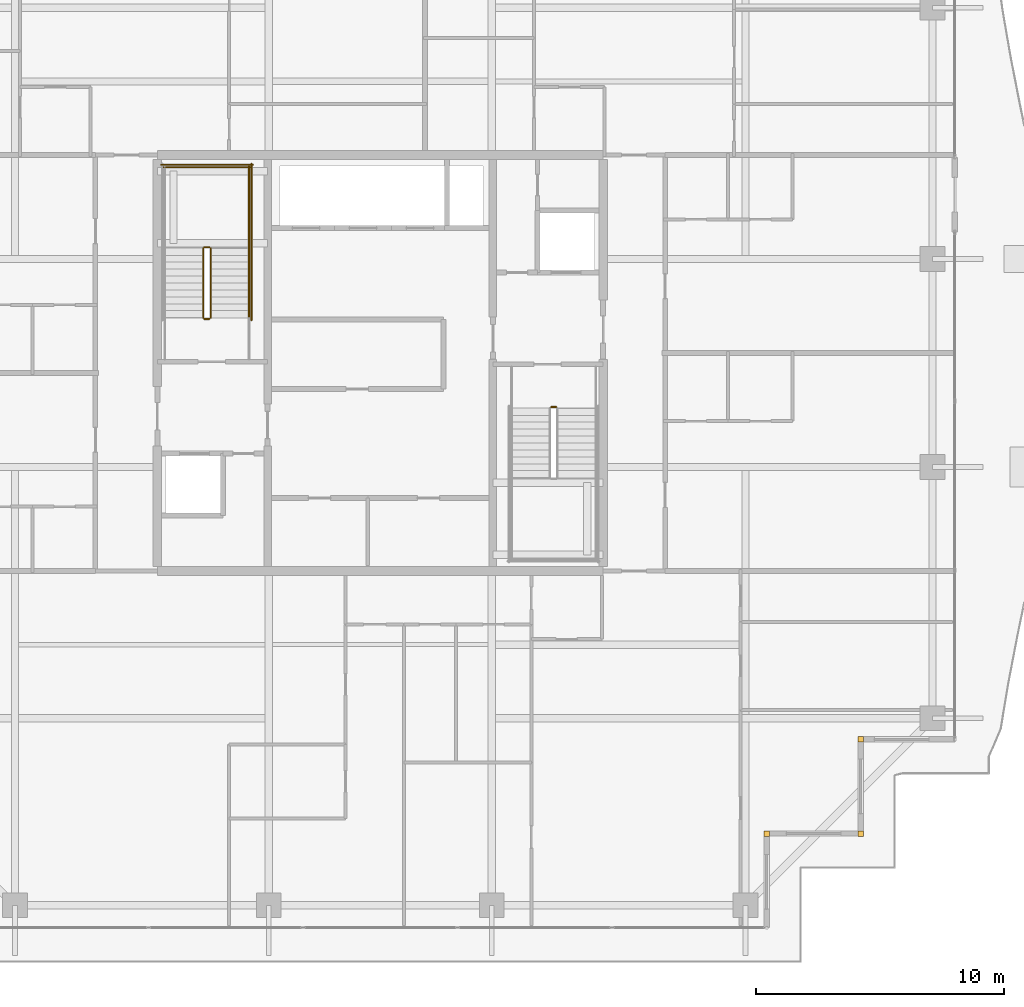
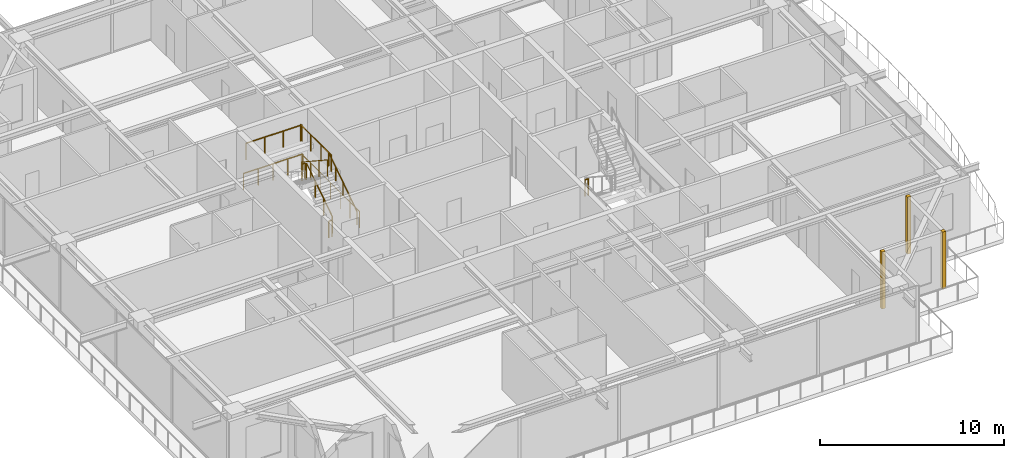
# One storey, part 38 of 39: 10 railings, 3 coverings.
"""IFC4 building model written with IfcOpenShell, lengths in metres."""

import ifcopenshell
import ifcopenshell.guid

model = None  # the IFC model being written
_history = None  # IfcOwnerHistory: only IFC2X3 demands one
_inside = {}  # id of a spatial element -> (the spatial element, [elements in it])
_under = {}  # id of a project, library or spatial element -> (it, [spatial elements below it])
_declared = {}  # id of a project -> (the project, [libraries it declares])
_typed = {}  # id of a type object -> (the type object, [elements of that type])
_made_of = {}  # id of a material, layer set ... -> (it, [elements and type objects made of it])


def new_model(schema):
    """Start an empty IFC model of exactly this schema.

    Asked for "IFC4X3", IfcOpenShell would pick the latest addendum, in which some entities
    have other attributes; the version numbers below select the first issue.
    IFC2X3 requires an IfcOwnerHistory on every rooted entity: one is made here for all.
    """
    global model, _history
    if schema == "IFC4X3":
        model = ifcopenshell.file(schema_version=(4, 3, 0, 0))
    else:
        model = ifcopenshell.file(schema=schema)
    _inside.clear()
    _under.clear()
    _declared.clear()
    _typed.clear()
    _made_of.clear()
    _history = None
    if model.schema == "IFC2X3":
        org = make("IfcOrganization", Name="unknown")
        user = make(
            "IfcPersonAndOrganization",
            ThePerson=make("IfcPerson", FamilyName="unknown"),
            TheOrganization=org,
        )
        app = make(
            "IfcApplication",
            ApplicationDeveloper=org,
            Version="unknown",
            ApplicationFullName="unknown",
            ApplicationIdentifier="unknown",
        )
        _history = make(
            "IfcOwnerHistory",
            OwningUser=user,
            OwningApplication=app,
            ChangeAction="ADDED",
            CreationDate=0,
        )
    return model


def make(cls, **values):
    """One entity of the class cls with the attributes given. An attribute that is None is left unset."""
    return model.create_entity(
        cls, **{name: value for name, value in values.items() if value is not None}
    )


def rooted(cls, **values):
    """An entity with a GlobalId (a new one), such as an element, a storey or a relation."""
    return make(cls, GlobalId=ifcopenshell.guid.new(), OwnerHistory=_history, **values)


def si_unit(unit_type, name, prefix=None):
    """IfcSIUnit, for example si_unit("LENGTHUNIT", "METRE", prefix="MILLI")."""
    return make("IfcSIUnit", UnitType=unit_type, Prefix=prefix, Name=name)


def assignment(units):
    """IfcUnitAssignment: the units of a project."""
    return None if units is None else make("IfcUnitAssignment", Units=units)


def point(xyz):
    """IfcCartesianPoint."""
    return None if xyz is None else make("IfcCartesianPoint", Coordinates=xyz)


def direction(xyz):
    """IfcDirection."""
    return None if xyz is None else make("IfcDirection", DirectionRatios=xyz)


def frame(location, z_axis=None, x_axis=None):
    """IfcAxis2Placement3D, a coordinate frame: its origin and axes. An axis left out is left unset."""
    return make(
        "IfcAxis2Placement3D",
        Location=point(location),
        Axis=direction(z_axis),
        RefDirection=direction(x_axis),
    )


def frame_2d(location, x_axis=None):
    """IfcAxis2Placement2D, a coordinate frame in the plane: its origin and x axis."""
    return make(
        "IfcAxis2Placement2D", Location=point(location), RefDirection=direction(x_axis)
    )


def origin():
    """The frame at (0, 0, 0) with its axes left unset."""
    return frame((0.0, 0.0, 0.0))


def origin_2d():
    """The frame at (0, 0) in the plane with its x axis left unset."""
    return frame_2d((0.0, 0.0))


def place(relative_to, where):
    """IfcLocalPlacement: puts the frame where relative to a parent placement (None: the world)."""
    return make(
        "IfcLocalPlacement", PlacementRelTo=relative_to, RelativePlacement=where
    )


def context(
    kind, dimensions, precision=None, world=None, true_north=None, identifier=None
):
    """IfcGeometricRepresentationContext, for example the 3D "Model" context."""
    return make(
        "IfcGeometricRepresentationContext",
        ContextIdentifier=identifier,
        ContextType=kind,
        CoordinateSpaceDimension=dimensions,
        Precision=precision,
        WorldCoordinateSystem=world,
        TrueNorth=true_north,
    )


def subcontext(parent, identifier, kind, view, scale=None):
    """IfcGeometricRepresentationSubContext, for example "Body" below "Model"."""
    return make(
        "IfcGeometricRepresentationSubContext",
        ContextIdentifier=identifier,
        ContextType=kind,
        ParentContext=parent,
        TargetScale=scale,
        TargetView=view,
    )


def project(units=None, contexts=None):
    """IfcProject with its units and contexts."""
    return rooted(
        "IfcProject",
        Name="project",
        RepresentationContexts=contexts,
        UnitsInContext=assignment(units),
    )


def spatial(cls, under=None, at=None, **own):
    """A site, building, storey or space (cls), placed at a placement, below another one or the project."""
    s = rooted(cls, ObjectPlacement=at, **own)
    if under is not None:
        _under.setdefault(under.id(), (under, []))[1].append(s)
    return s


def profile(cls, at=None, kind="AREA", **sizes):
    """A parametric profile (cls). Its sizes go by their IFC names, for example OverallWidth=200.0."""
    return make(cls, ProfileType=kind, Position=at, **sizes)


def rectangle(**sizes):
    """IfcRectangleProfileDef."""
    return profile("IfcRectangleProfileDef", **sizes)


def circle(**sizes):
    """IfcCircleProfileDef."""
    return profile("IfcCircleProfileDef", **sizes)


def extrude(swept, where, along, depth):
    """IfcExtrudedAreaSolid: the profile swept, set in the frame where, extruded along a direction by depth."""
    return make(
        "IfcExtrudedAreaSolid",
        SweptArea=swept,
        Position=where,
        ExtrudedDirection=direction(along),
        Depth=depth,
    )


def shape(context_of_items, identifier, shape_type, items):
    """IfcShapeRepresentation: the items that make up one representation, for example the "Body"."""
    return make(
        "IfcShapeRepresentation",
        ContextOfItems=context_of_items,
        RepresentationIdentifier=identifier,
        RepresentationType=shape_type,
        Items=items,
    )


def source(mapping_origin, context_of_items, identifier, shape_type, items):
    """IfcRepresentationMap: a shape defined once, which mapped items show again and again."""
    return make(
        "IfcRepresentationMap",
        MappingOrigin=mapping_origin,
        MappedRepresentation=shape(context_of_items, identifier, shape_type, items),
    )


def transform(
    local_origin,
    x_axis=None,
    y_axis=None,
    z_axis=None,
    scale=None,
    scale2=None,
    scale3=None,
    uniform=True,
):
    """IfcCartesianTransformationOperator3D, or its non-uniform kind. x_axis, y_axis, z_axis: its Axis1, 2, 3."""
    if uniform:
        return make(
            "IfcCartesianTransformationOperator3D",
            Axis1=direction(x_axis),
            Axis2=direction(y_axis),
            LocalOrigin=point(local_origin),
            Scale=scale,
            Axis3=direction(z_axis),
        )
    return make(
        "IfcCartesianTransformationOperator3DnonUniform",
        Axis1=direction(x_axis),
        Axis2=direction(y_axis),
        LocalOrigin=point(local_origin),
        Scale=scale,
        Axis3=direction(z_axis),
        Scale2=scale2,
        Scale3=scale3,
    )


def mapped(mapping_source, mapping_target):
    """IfcMappedItem: shows the shape of a source again, moved by a transform."""
    return make(
        "IfcMappedItem", MappingSource=mapping_source, MappingTarget=mapping_target
    )


def material(Name=None, Category=None):
    """IfcMaterial."""
    return make("IfcMaterial", Name=Name, Category=Category)


def layer(
    of_material, thickness, ventilated=None, Name=None, Category=None, Priority=None
):
    """IfcMaterialLayer: one layer of a wall or slab, of a material (None: an air gap)."""
    return make(
        "IfcMaterialLayer",
        Material=of_material,
        LayerThickness=thickness,
        IsVentilated=ventilated,
        Name=Name,
        Category=Category,
        Priority=Priority,
    )


def layer_set(layers, Name=None):
    """IfcMaterialLayerSet."""
    return make("IfcMaterialLayerSet", MaterialLayers=layers, LayerSetName=Name)


def made_of(thing, what):
    """Note that an element or type object is made of a material, layer set ...; save() writes the relation."""
    if what is not None:
        _made_of.setdefault(what.id(), (what, []))[1].append(thing)
    return thing


def type_object(cls, material=None, **own):
    """A type object (cls), such as IfcWallType, which elements share."""
    return made_of(rooted(cls, **own), material)


def element(
    cls,
    number,
    at=None,
    inside=None,
    cuts=None,
    type_object=None,
    material=None,
    context=None,
    identifier="Body",
    shape_type=None,
    held_by="IfcProductDefinitionShape",
    body=None,
    shapes=None,
    **own,
):
    """One element of the class cls, such as IfcWall. Its Tag is "e" and its number.

    at: its placement. inside: the storey or other place that contains it. cuts: it is an
    opening in that element (IfcRelVoidsElement). A single representation is given by context,
    identifier, shape_type and body (its items); several are given by shapes. held_by: the class
    of the entity that holds the representations. save() writes the other relations.
    """
    e = rooted(cls, Tag="e%d" % number, ObjectPlacement=at, **own)
    if body is not None:
        shapes = [shape(context, identifier, shape_type, body)]
    if shapes is not None:
        e.Representation = make(held_by, Representations=shapes)
    if inside is not None:
        _inside.setdefault(inside.id(), (inside, []))[1].append(e)
    if cuts is not None:
        rooted(
            "IfcRelVoidsElement", RelatingBuildingElement=cuts, RelatedOpeningElement=e
        )
    if type_object is not None:
        _typed.setdefault(type_object.id(), (type_object, []))[1].append(e)
    return made_of(e, material)


def aggregate(whole, parts):
    """IfcRelAggregates: a whole, such as a stair, and the parts it consists of."""
    return rooted("IfcRelAggregates", RelatingObject=whole, RelatedObjects=parts)


def save(model, path):
    """Write the relations noted so far, then the file.

    IfcRelAggregates (storeys below a building ...), IfcRelContainedInSpatialStructure (elements
    in a storey), IfcRelDefinesByType, IfcRelAssociatesMaterial and IfcRelDeclares: one each for
    every whole, place, type object, material and project.
    """
    for whole, parts in _under.values():
        aggregate(whole, parts)
    for where, things in _inside.values():
        rooted(
            "IfcRelContainedInSpatialStructure",
            RelatedElements=things,
            RelatingStructure=where,
        )
    for kind, things in _typed.values():
        rooted("IfcRelDefinesByType", RelatedObjects=things, RelatingType=kind)
    for what, things in _made_of.values():
        rooted("IfcRelAssociatesMaterial", RelatedObjects=things, RelatingMaterial=what)
    for by, libraries in _declared.values():
        rooted("IfcRelDeclares", RelatingContext=by, RelatedDefinitions=libraries)
    model.write(path)


model = new_model("IFC4")

# Units and contexts
model_context = context("Model", 3, precision=1e-05, world=origin(), true_north=direction((0.0, 1.0)))
body_context = subcontext(model_context, "Body", "Model", "MODEL_VIEW")
ifc_project = project(units=[si_unit("LENGTHUNIT", "METRE"), si_unit("AREAUNIT", "SQUARE_METRE"), si_unit("VOLUMEUNIT", "CUBIC_METRE"), si_unit("PLANEANGLEUNIT", "RADIAN"), si_unit("MASSUNIT", "GRAM", prefix="KILO")], contexts=[model_context])

# Site, building, storey
site_placement = place(None, origin())
site = spatial("IfcSite", under=ifc_project, at=site_placement, CompositionType="ELEMENT")
building_placement = place(site_placement, origin())
building = spatial("IfcBuilding", under=site, at=building_placement, Name="Serunith Strait Residences", CompositionType="ELEMENT")
storey_placement = place(building_placement, frame((0.0, 0.0, 329.89990234375)))
storey = spatial("IfcBuildingStorey", under=building, at=storey_placement, Name="L82", CompositionType="ELEMENT", Elevation=329.89990234375)

# Railings
ifc_material_1 = material(Name="Brushed stainless steel 316L", Category="steel")
railing_type_1 = type_object("IfcRailingType", Name="RLG-STAIR-GUARD", PredefinedType="BALUSTRADE", material=ifc_material_1)
railing_1_placement = place(storey_placement, frame((25.550048828125, 27.030029296875, 0.18408203125)))
element("IfcRailing", 1, at=railing_1_placement, inside=storey, type_object=railing_type_1, Name="L82 ST-1 stair guard 1", PredefinedType="BALUSTRADE", context=body_context, shape_type="SweptSolid", body=[
    extrude(circle(Radius=0.02392578125, at=origin_2d()), frame((0.0, 0.001708984375, 1.0771484375), z_axis=(0.0, 0.83556406348, 0.549393024911), x_axis=(-1.0, 0.0, 0.0)), (0.0, 0.0, 1.0), 3.34716796875),
    extrude(circle(Radius=0.02099609375, at=origin_2d()), origin(), (0.0, 0.0, 1.0), 1.050048828125),
    extrude(circle(Radius=0.02099609375, at=origin_2d()), frame((0.0, 0.933349609375, 0.61376953125)), (0.0, 0.0, 1.0), 1.050048828125),
    extrude(circle(Radius=0.02099609375, at=origin_2d()), frame((0.0, 1.86669921875, 1.227294921875)), (0.0, 0.0, 1.0), 1.050048828125),
    extrude(circle(Radius=0.02099609375, at=origin_2d()), frame((0.0, 2.800048828125, 1.841064453125)), (0.0, 0.0, 1.0), 1.050048828125),
])
railing_2_placement = place(storey_placement, frame((25.5, 29.8798828125, 2.025146484375)))
element("IfcRailing", 2, at=railing_2_placement, inside=storey, type_object=railing_type_1, Name="L82 ST-1 stair guard 2", PredefinedType="BALUSTRADE", context=body_context, shape_type="SweptSolid", body=[
    extrude(circle(Radius=0.02392578125, at=origin_2d()), frame((-0.001953125, 0.0, 1.076171875), z_axis=(-1.0, 0.0, 0.0), x_axis=(0.0, -1.0, 0.0)), (0.0, 0.0, 1.0), 0.196044921875),
    extrude(circle(Radius=0.02099609375, at=origin_2d()), origin(), (0.0, 0.0, 1.0), 1.050048828125),
    extrude(circle(Radius=0.02099609375, at=origin_2d()), frame((-0.199951171875, 0.0, 0.0)), (0.0, 0.0, 1.0), 1.050048828125),
])
railing_3_placement = place(storey_placement, frame((27.10009765625, 29.830078125, 2.025146484375)))
element("IfcRailing", 3, at=railing_3_placement, inside=storey, type_object=railing_type_1, Name="L82 ST-1 stair guard 3", PredefinedType="BALUSTRADE", context=body_context, shape_type="SweptSolid", body=[
    extrude(circle(Radius=0.02392578125, at=origin_2d()), frame((0.0, 0.001953125, 1.076171875), z_axis=(0.0, 1.0, 0.0), x_axis=(-1.0, 0.0, 0.0)), (0.0, 0.0, 1.0), 3.31591796875),
    extrude(circle(Radius=0.02099609375, at=origin_2d()), origin(), (0.0, 0.0, 1.0), 1.050048828125),
    extrude(circle(Radius=0.02099609375, at=origin_2d()), frame((0.0, 1.106689453125, 0.0)), (0.0, 0.0, 1.0), 1.050048828125),
    extrude(circle(Radius=0.02099609375, at=origin_2d()), frame((0.0, 2.213134765625, 0.0)), (0.0, 0.0, 1.0), 1.050048828125),
    extrude(circle(Radius=0.02099609375, at=origin_2d()), frame((0.0, 3.31982421875, 0.0)), (0.0, 0.0, 1.0), 1.050048828125),
])
railing_4_placement = place(storey_placement, frame((27.14990234375, 33.10009765625, 2.025146484375)))
element("IfcRailing", 4, at=railing_4_placement, inside=storey, type_object=railing_type_1, Name="L82 ST-1 stair guard 5", PredefinedType="BALUSTRADE", context=body_context, shape_type="SweptSolid", body=[
    extrude(circle(Radius=0.02392578125, at=origin_2d()), frame((-0.001953125, 0.0, 1.076171875), z_axis=(-1.0, 0.0, 0.0), x_axis=(0.0, -1.0, 0.0)), (0.0, 0.0, 1.0), 3.49609375),
    extrude(circle(Radius=0.02099609375, at=origin_2d()), origin(), (0.0, 0.0, 1.0), 1.050048828125),
    extrude(circle(Radius=0.02099609375, at=origin_2d()), frame((-1.166748046875, 0.0, 0.0)), (0.0, 0.0, 1.0), 1.050048828125),
    extrude(circle(Radius=0.02099609375, at=origin_2d()), frame((-2.333251953125, 0.0, 0.0)), (0.0, 0.0, 1.0), 1.050048828125),
    extrude(circle(Radius=0.02099609375, at=origin_2d()), frame((-3.5, 0.0, 0.0)), (0.0, 0.0, 1.0), 1.050048828125),
])
railing_5_placement = place(storey_placement, frame((25.25, 29.830078125, 2.209228515625)))
element("IfcRailing", 5, at=railing_5_placement, inside=storey, type_object=railing_type_1, Name="L82 ST-1 stair guard 6", PredefinedType="BALUSTRADE", context=body_context, shape_type="SweptSolid", body=[
    extrude(circle(Radius=0.02392578125, at=origin_2d()), frame((0.0, -0.001708984375, 1.0771484375), z_axis=(0.0, -0.835597507184, 0.549342157483), x_axis=(1.0, 0.0, 0.0)), (0.0, 0.0, 1.0), 3.346923828125),
    extrude(circle(Radius=0.02099609375, at=origin_2d()), origin(), (0.0, 0.0, 1.0), 1.050048828125),
    extrude(circle(Radius=0.02099609375, at=origin_2d()), frame((0.0, -0.933349609375, 0.613525390625)), (0.0, 0.0, 1.0), 1.050048828125),
    extrude(circle(Radius=0.02099609375, at=origin_2d()), frame((0.0, -1.86669921875, 1.227294921875)), (0.0, 0.0, 1.0), 1.050048828125),
    extrude(circle(Radius=0.02099609375, at=origin_2d()), frame((0.0, -2.800048828125, 1.8408203125)), (0.0, 0.0, 1.0), 1.050048828125),
])
railing_6_placement = place(storey_placement, frame((25.5, 26.97998046875, 0.0)))
element("IfcRailing", 6, at=railing_6_placement, inside=storey, type_object=railing_type_1, Name="L82 ST-1 stair guard 7", PredefinedType="BALUSTRADE", context=body_context, shape_type="SweptSolid", body=[
    extrude(circle(Radius=0.02392578125, at=origin_2d()), frame((-0.001953125, 0.0, 1.076171875), z_axis=(-1.0, 0.0, 0.0), x_axis=(0.0, -1.0, 0.0)), (0.0, 0.0, 1.0), 0.196044921875),
    extrude(circle(Radius=0.02099609375, at=origin_2d()), origin(), (0.0, 0.0, 1.0), 1.050048828125),
    extrude(circle(Radius=0.02099609375, at=origin_2d()), frame((-0.199951171875, 0.0, 0.0)), (0.0, 0.0, 1.0), 1.050048828125),
])
railing_7_placement = place(storey_placement, frame((27.199951171875, 26.929931640625, 0.0)))
element("IfcRailing", 7, at=railing_7_placement, inside=storey, type_object=railing_type_1, Name="L82 ST-1 stair guard 10", PredefinedType="BALUSTRADE", context=body_context, shape_type="SweptSolid", body=[
    extrude(circle(Radius=0.02392578125, at=origin_2d()), frame((0.0, 0.001953125, 1.076171875), z_axis=(0.0, 1.0, 0.0), x_axis=(-1.0, 0.0, 0.0)), (0.0, 0.0, 1.0), 6.316162109375),
    extrude(circle(Radius=0.02099609375, at=origin_2d()), origin(), (0.0, 0.0, 1.0), 1.050048828125),
    extrude(circle(Radius=0.02099609375, at=origin_2d()), frame((0.0, 1.05322265625, 0.0)), (0.0, 0.0, 1.0), 1.050048828125),
    extrude(circle(Radius=0.02099609375, at=origin_2d()), frame((0.0, 2.106689453125, 0.0)), (0.0, 0.0, 1.0), 1.050048828125),
    extrude(circle(Radius=0.02099609375, at=origin_2d()), frame((0.0, 3.16015625, 0.0)), (0.0, 0.0, 1.0), 1.050048828125),
    extrude(circle(Radius=0.02099609375, at=origin_2d()), frame((0.0, 4.21337890625, 0.0)), (0.0, 0.0, 1.0), 1.050048828125),
    extrude(circle(Radius=0.02099609375, at=origin_2d()), frame((0.0, 5.2666015625, 0.0)), (0.0, 0.0, 1.0), 1.050048828125),
    extrude(circle(Radius=0.02099609375, at=origin_2d()), frame((0.0, 6.320068359375, 0.0)), (0.0, 0.0, 1.0), 1.050048828125),
])
railing_8_placement = place(storey_placement, frame((27.25, 33.199951171875, 0.0)))
element("IfcRailing", 8, at=railing_8_placement, inside=storey, type_object=railing_type_1, Name="L82 ST-1 stair guard 12", PredefinedType="BALUSTRADE", context=body_context, shape_type="SweptSolid", body=[
    extrude(circle(Radius=0.02392578125, at=origin_2d()), frame((-0.001953125, 0.0, 1.076171875), z_axis=(-1.0, 0.0, 0.0), x_axis=(0.0, -1.0, 0.0)), (0.0, 0.0, 1.0), 3.696044921875),
    extrude(circle(Radius=0.02099609375, at=origin_2d()), origin(), (0.0, 0.0, 1.0), 1.050048828125),
    extrude(circle(Radius=0.02099609375, at=origin_2d()), frame((-0.925048828125, 0.0, 0.0)), (0.0, 0.0, 1.0), 1.050048828125),
    extrude(circle(Radius=0.02099609375, at=origin_2d()), frame((-1.85009765625, 0.0, 0.0)), (0.0, 0.0, 1.0), 1.050048828125),
    extrude(circle(Radius=0.02099609375, at=origin_2d()), frame((-2.77490234375, 0.0, 0.0)), (0.0, 0.0, 1.0), 1.050048828125),
    extrude(circle(Radius=0.02099609375, at=origin_2d()), frame((-3.699951171875, 0.0, 0.0)), (0.0, 0.0, 1.0), 1.050048828125),
])
railing_9_placement = place(storey_placement, frame((39.300048828125, 23.419921875, 0.0)))
element("IfcRailing", 9, at=railing_9_placement, inside=storey, type_object=railing_type_1, Name="L82 ST-2 stair guard 7", PredefinedType="BALUSTRADE", context=body_context, shape_type="SweptSolid", body=[
    extrude(circle(Radius=0.02392578125, at=origin_2d()), frame((0.001953125, 0.0, 1.076171875), z_axis=(1.0, 0.0, 0.0), x_axis=(0.0, 1.0, 0.0)), (0.0, 0.0, 1.0), 0.196044921875),
    extrude(circle(Radius=0.02099609375, at=origin_2d()), origin(), (0.0, 0.0, 1.0), 1.050048828125),
    extrude(circle(Radius=0.02099609375, at=origin_2d()), frame((0.199951171875, 0.0, 0.0)), (0.0, 0.0, 1.0), 1.050048828125),
])
railing_type_2 = type_object("IfcRailingType", Name="RLG-STAIR-HR", PredefinedType="HANDRAIL", material=ifc_material_1)
railing_10_placement = place(storey_placement, frame((27.10009765625, 27.030029296875, 0.18408203125)))
element("IfcRailing", 10, at=railing_10_placement, inside=storey, type_object=railing_type_2, Name="L82 ST-1 stair handrail 1", PredefinedType="HANDRAIL", context=body_context, shape_type="SweptSolid", body=[
    extrude(circle(Radius=0.02392578125, at=origin_2d()), frame((0.0, 0.001708984375, 0.876953125), z_axis=(0.0, 0.83496096917, 0.550309167616), x_axis=(-1.0, 0.0, 0.0)), (0.0, 0.0, 1.0), 3.684814453125),
    extrude(circle(Radius=0.02099609375, at=origin_2d()), origin(), (0.0, 0.0, 1.0), 0.849853515625),
    extrude(circle(Radius=0.02099609375, at=origin_2d()), frame((0.0, 0.77001953125, 0.507568359375)), (0.0, 0.0, 1.0), 0.849853515625),
    extrude(circle(Radius=0.02099609375, at=origin_2d()), frame((0.0, 1.5400390625, 1.01513671875)), (0.0, 0.0, 1.0), 0.849853515625),
    extrude(circle(Radius=0.02099609375, at=origin_2d()), frame((0.0, 2.31005859375, 1.5224609375)), (0.0, 0.0, 1.0), 0.849853515625),
    extrude(circle(Radius=0.02099609375, at=origin_2d()), frame((0.0, 3.080078125, 2.030029296875)), (0.0, 0.0, 1.0), 0.849853515625),
])

# Coverings
ifc_material_2 = material(Name="Pale-Champagne Anodised Aluminium", Category="aluminium")
ifc_layer = layer(ifc_material_2, 0.219970703125, Name="Pale-Champagne Anodised Aluminium")
ifc_layer_set = layer_set([ifc_layer], Name="Pale-Champagne Anodised Aluminium")
covering_type = type_object("IfcCoveringType", Name="COV-CORN-TRIM", PredefinedType="CLADDING", material=ifc_layer_set)
shared_shape = source(origin(), body_context, "Body", "SweptSolid", [
    extrude(rectangle(XDim=0.221923828125, YDim=0.221923828125, at=origin_2d()), origin(), (0.0, 0.0, 1.0), 3.77490234375),
])
for number, where, z_axis, x_axis, name in (
    (11, (48.0, 6.199951171875, 0.000244140625), (0.0, 0.0, 1.0), (1.0, 0.0, 0.0), "L82 Girih Serrated Corner Trim Post 02"),
    (12, (51.800048828125, 6.199951171875, 0.000244140625), (0.0, 0.0, 1.0), (1.0, 0.0, 0.0), "L82 Girih Serrated Corner Trim Post 03"),
    (13, (51.800048828125, 10.0, 0.000244140625), (0.0, 0.0, 1.0), (1.0, 0.0, 0.0), "L82 Girih Serrated Corner Trim Post 04"),
):
    element("IfcCovering", number, at=place(storey_placement, frame(where, z_axis=z_axis, x_axis=x_axis)), inside=storey, type_object=covering_type, Name=name, PredefinedType="CLADDING", context=body_context, shape_type="MappedRepresentation", body=[
        mapped(shared_shape, transform((0.0, 0.0, 0.0), scale=1.0)),
    ])

save(model, "model.ifc")
